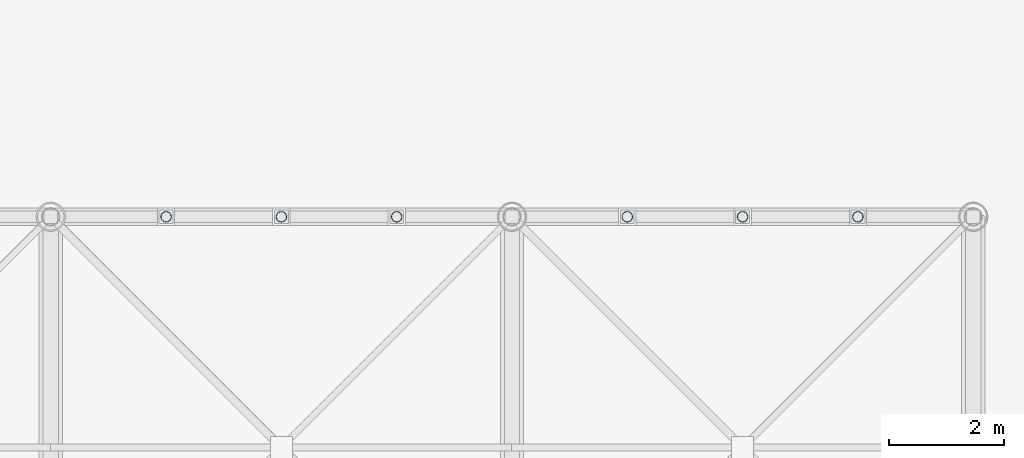
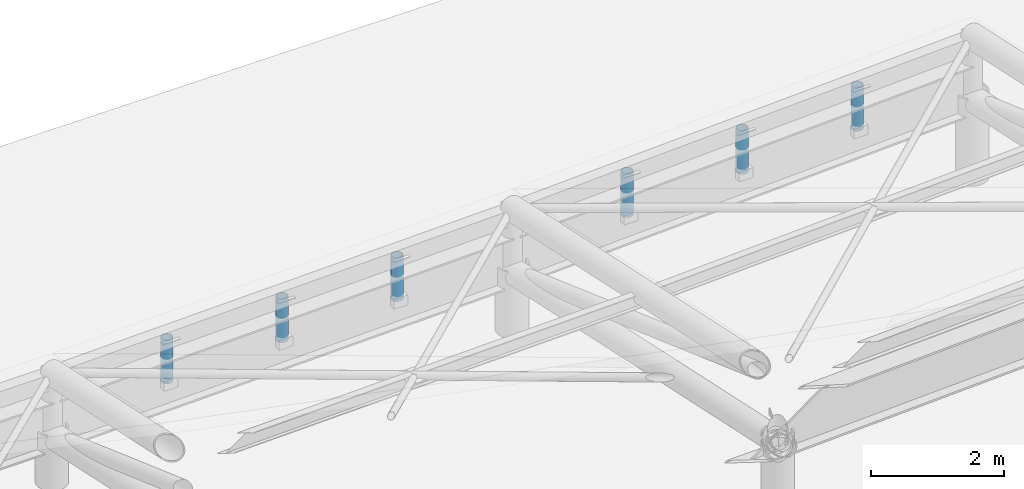
# One storey, part 26 of 54: 6 members.
"""IFC4 building model written with IfcOpenShell, lengths in metres."""

from ifc_helpers import new_model, si_unit, direction, frame, origin, origin_2d, place, context, subcontext, project, spatial, hollow_circle, extrude, material, material_profile, profile_set, type_object, element, save


model = new_model("IFC4")

# Units and contexts
model_context = context("Model", 3, precision=1e-05, world=origin(), true_north=direction((0.0, 1.0)))
body_context = subcontext(model_context, "Body", "Model", "MODEL_VIEW")
ifc_project = project(units=[si_unit("LENGTHUNIT", "METRE"), si_unit("AREAUNIT", "SQUARE_METRE"), si_unit("VOLUMEUNIT", "CUBIC_METRE"), si_unit("PLANEANGLEUNIT", "RADIAN"), si_unit("MASSUNIT", "GRAM", prefix="KILO")], contexts=[model_context])

# Site, building, storey
site_placement = place(None, origin())
site = spatial("IfcSite", under=ifc_project, at=site_placement, CompositionType="ELEMENT")
building_placement = place(site_placement, origin())
building = spatial("IfcBuilding", under=site, at=building_placement, Name="Haebicheon Civic Stadium", CompositionType="ELEMENT")
storey_placement = place(building_placement, frame((0.0, 0.0, 22.800048828125)))
storey = spatial("IfcBuildingStorey", under=building, at=storey_placement, Name="L06", CompositionType="ELEMENT", Elevation=22.800048828125)

# Members
ifc_material = material(Name="White painted steel SM490", Category="steel")
ifc_material_profile = material_profile(ifc_material, hollow_circle(Radius=0.095458984375, WallThickness=0.011962890625, at=origin_2d()), Name="CHS-190.7x12.0")
ifc_profile_set = profile_set([ifc_material_profile], Name="White painted steel SM490")
member_type = type_object("IfcMemberType", Name="HRD-CHS190", PredefinedType="USERDEFINED", material=ifc_profile_set)
member_placement = place(storey_placement, frame((114.0, 160.0, 1.155029296875), z_axis=(0.0, 0.0, 1.0), x_axis=(1.0, 0.0, 0.0)))
element("IfcMember", 1, at=member_placement, inside=storey, type_object=member_type, material=ifc_profile_set, Name="CAN-NORTH white vertical suspension rod 5.1", ObjectType="HANGER ROD", PredefinedType="USERDEFINED", context=body_context, shape_type="SweptSolid", body=[
    extrude(hollow_circle(Radius=0.095458984375, WallThickness=0.011962890625, at=origin_2d()), origin(), (0.0, 0.0, 1.0), 0.7998046875),
])
for number, where, z_axis, x_axis, name in (
    (2, (116.0, 160.0, 1.2099609375), (0.0, 0.0, 1.0), (1.0, 0.0, 0.0), "CAN-NORTH white vertical suspension rod 5.2"),
    (3, (118.0, 160.0, 1.264892578125), (0.0, 0.0, 1.0), (1.0, 0.0, 0.0), "CAN-NORTH white vertical suspension rod 5.3"),
    (4, (122.0, 160.0, 1.411865234375), (0.0, 0.0, 1.0), (1.0, 0.0, 0.0), "CAN-NORTH white vertical suspension rod 6.1"),
    (5, (124.0, 160.0, 1.50390625), (0.0, 0.0, 1.0), (1.0, 0.0, 0.0), "CAN-NORTH white vertical suspension rod 6.2"),
    (6, (126.0, 160.0, 1.594970703125), (0.0, 0.0, 1.0), (1.0, 0.0, 0.0), "CAN-NORTH white vertical suspension rod 6.3"),
):
    element("IfcMember", number, at=place(storey_placement, frame(where, z_axis=z_axis, x_axis=x_axis)), inside=storey, type_object=member_type, material=ifc_profile_set, Name=name, ObjectType="HANGER ROD", PredefinedType="USERDEFINED", context=body_context, shape_type="SweptSolid", body=[
        extrude(hollow_circle(Radius=0.095458984375, WallThickness=0.011962890625, at=origin_2d()), origin(), (0.0, 0.0, 1.0), 0.800048828125),
    ])

save(model, "model.ifc")
